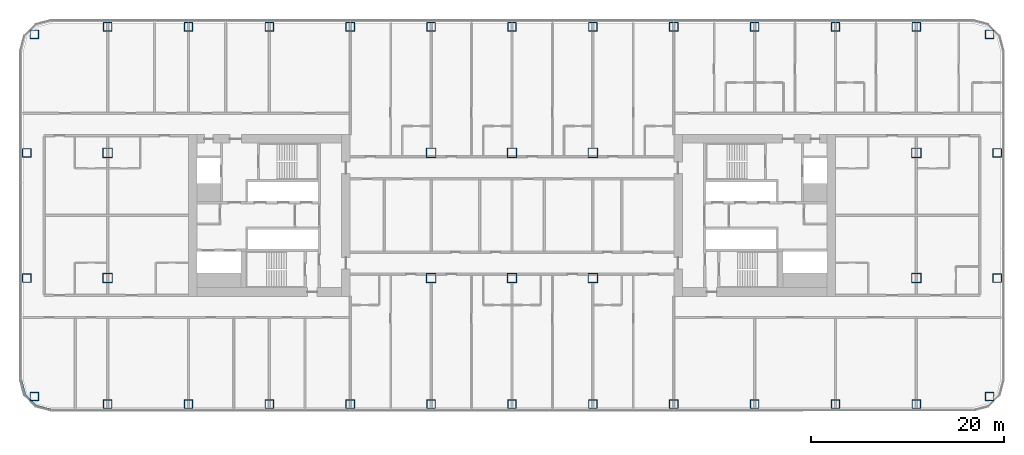
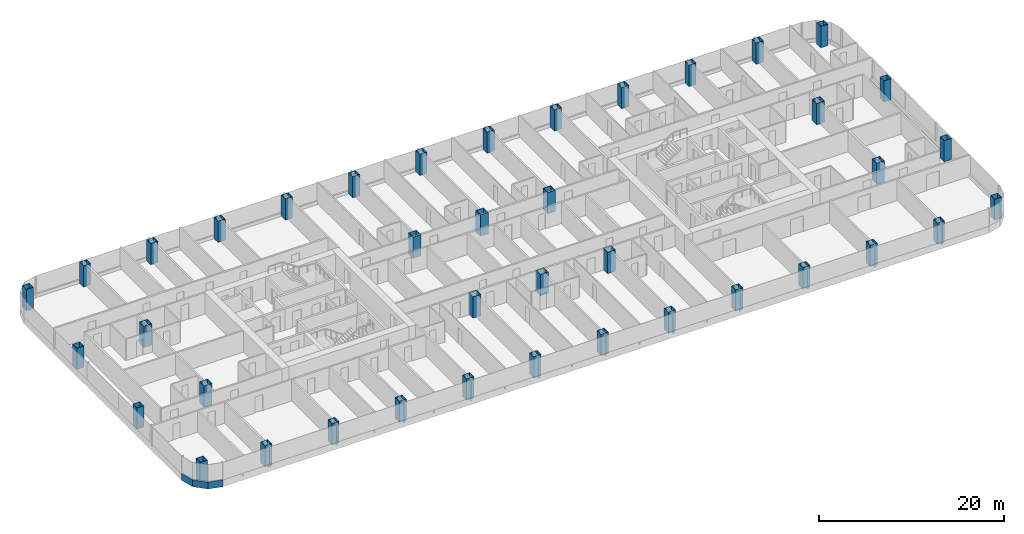
# One storey, part 1 of 28: 40 columns, 1 member, 1 element without a shape of its own.
"""IFC4 building model written with IfcOpenShell, lengths in metres."""

from ifc_helpers import new_model, si_unit, direction, frame, origin, origin_2d, place, context, subcontext, project, spatial, polyline, rectangle, hollow_rectangle, outline, extrude, material, layer, layer_set, material_profile, profile_set, type_object, element, aggregate, save


model = new_model("IFC4")

# Units and contexts
model_context = context("Model", 3, precision=1e-05, world=origin(), true_north=direction((0.0, 1.0)))
body_context = subcontext(model_context, "Body", "Model", "MODEL_VIEW")
ifc_project = project(units=[si_unit("LENGTHUNIT", "METRE"), si_unit("AREAUNIT", "SQUARE_METRE"), si_unit("VOLUMEUNIT", "CUBIC_METRE"), si_unit("PLANEANGLEUNIT", "RADIAN"), si_unit("MASSUNIT", "GRAM", prefix="KILO")], contexts=[model_context])

# Site, building, storey
site_placement = place(None, origin())
site = spatial("IfcSite", under=ifc_project, at=site_placement, CompositionType="ELEMENT")
building_placement = place(site_placement, origin())
building = spatial("IfcBuilding", under=site, at=building_placement, Name="Hakoniwa Tower and Hamabe Station Hall", CompositionType="ELEMENT")
storey_placement = place(building_placement, frame((0.0, 0.0, 48.60009765625)))
storey = spatial("IfcBuildingStorey", under=building, at=storey_placement, Name="L13", CompositionType="ELEMENT", Elevation=48.60009765625)

# Columns
ifc_material_1 = material(Name="Steel SN490C", Category="steel")
ifc_material_profile_1 = material_profile(ifc_material_1, hollow_rectangle(XDim=1.0, YDim=1.0, WallThickness=0.0400390625, at=origin_2d()), Name="BX-1000x1000x40")
ifc_profile_set_1 = profile_set([ifc_material_profile_1], Name="Steel SN490C")
column_type_1 = type_object("IfcColumnType", Name="COLUMN BX-1000x1000x40", PredefinedType="COLUMN", material=ifc_profile_set_1)
for number, where, z_axis, x_axis, name in (
    (1, (-42.0, -6.5, 0.0), (0.0, 0.0, 1.0), (1.0, 0.0, 0.0), "Column B1-2-C1"),
    (2, (-42.0, 6.5, 0.0), (0.0, 0.0, 1.0), (1.0, 0.0, 0.0), "Column B1-2-E1"),
    (3, (-8.39990234375, -6.5, 0.0), (0.0, 0.0, 1.0), (1.0, 0.0, 0.0), "Column B1-6-C1"),
    (4, (-8.39990234375, 6.5, 0.0), (0.0, 0.0, 1.0), (1.0, 0.0, 0.0), "Column B1-6-E1"),
    (5, (0.0, -6.5, 0.0), (0.0, 0.0, 1.0), (1.0, 0.0, 0.0), "Column B1-7-C1"),
    (6, (0.0, 6.5, 0.0), (0.0, 0.0, 1.0), (1.0, 0.0, 0.0), "Column B1-7-E1"),
    (7, (8.39990234375, -6.5, 0.0), (0.0, 0.0, 1.0), (1.0, 0.0, 0.0), "Column B1-8-C1"),
    (8, (8.39990234375, 6.5, 0.0), (0.0, 0.0, 1.0), (1.0, 0.0, 0.0), "Column B1-8-E1"),
    (9, (42.0, -6.5, 0.0), (0.0, 0.0, 1.0), (1.0, 0.0, 0.0), "Column B1-12-C1"),
    (10, (42.0, 6.5, 0.0), (0.0, 0.0, 1.0), (1.0, 0.0, 0.0), "Column B1-12-E1"),
):
    element("IfcColumn", number, at=place(storey_placement, frame(where, z_axis=z_axis, x_axis=x_axis)), inside=storey, type_object=column_type_1, Name=name, PredefinedType="COLUMN", context=body_context, shape_type="SweptSolid", body=[
        extrude(hollow_rectangle(XDim=1.0, YDim=1.0, WallThickness=0.0400390625, at=origin_2d()), origin(), (0.0, 0.0, 1.0), 2.7998046875),
    ])
ifc_material_2 = material(Name="Steel SN490C", Category="steel")
ifc_material_profile_2 = material_profile(ifc_material_2, hollow_rectangle(XDim=0.89990234375, YDim=0.89990234375, WallThickness=0.035888671875, at=origin_2d()), Name="BX-900x900x36")
ifc_profile_set_2 = profile_set([ifc_material_profile_2], Name="Steel SN490C")
column_type_2 = type_object("IfcColumnType", Name="COLUMN BX-900x900x36", PredefinedType="COLUMN", material=ifc_profile_set_2)
for number, where, z_axis, x_axis, name in (
    (11, (-49.60302734375, -18.802978515625, 0.0), (0.0, 0.0, 1.0), (1.0, 0.0, 0.0), "Column B1-1-A1"),
    (12, (-50.39990234375, -6.5, 0.0), (0.0, 0.0, 1.0), (1.0, 0.0, 0.0), "Column B1-1-C1"),
    (13, (-50.39990234375, 6.5, 0.0), (0.0, 0.0, 1.0), (1.0, 0.0, 0.0), "Column B1-1-E1"),
    (14, (-49.60302734375, 18.802978515625, 0.0), (0.0, 0.0, 1.0), (1.0, 0.0, 0.0), "Column B1-1-G1"),
    (15, (-42.0, -19.60009765625, 0.0), (0.0, 0.0, 1.0), (1.0, 0.0, 0.0), "Column B1-2-A1"),
    (16, (-42.0, 19.60009765625, 0.0), (0.0, 0.0, 1.0), (1.0, 0.0, 0.0), "Column B1-2-G1"),
    (17, (-33.60009765625, -19.60009765625, 0.0), (0.0, 0.0, 1.0), (1.0, 0.0, 0.0), "Column B1-3-A1"),
    (18, (-33.60009765625, 19.60009765625, 0.0), (0.0, 0.0, 1.0), (1.0, 0.0, 0.0), "Column B1-3-G1"),
    (19, (-25.199951171875, -19.60009765625, 0.0), (0.0, 0.0, 1.0), (1.0, 0.0, 0.0), "Column B1-4-A1"),
    (20, (-25.199951171875, 19.60009765625, 0.0), (0.0, 0.0, 1.0), (1.0, 0.0, 0.0), "Column B1-4-G1"),
    (21, (-16.800048828125, -19.60009765625, 0.0), (0.0, 0.0, 1.0), (1.0, 0.0, 0.0), "Column B1-5-A1"),
    (22, (-16.800048828125, 19.60009765625, 0.0), (0.0, 0.0, 1.0), (1.0, 0.0, 0.0), "Column B1-5-G1"),
    (23, (-8.39990234375, -19.60009765625, 0.0), (0.0, 0.0, 1.0), (1.0, 0.0, 0.0), "Column B1-6-A1"),
    (24, (-8.39990234375, 19.60009765625, 0.0), (0.0, 0.0, 1.0), (1.0, 0.0, 0.0), "Column B1-6-G1"),
    (25, (0.0, -19.60009765625, 0.0), (0.0, 0.0, 1.0), (1.0, 0.0, 0.0), "Column B1-7-A1"),
    (26, (0.0, 19.60009765625, 0.0), (0.0, 0.0, 1.0), (1.0, 0.0, 0.0), "Column B1-7-G1"),
    (27, (8.39990234375, -19.60009765625, 0.0), (0.0, 0.0, 1.0), (1.0, 0.0, 0.0), "Column B1-8-A1"),
    (28, (8.39990234375, 19.60009765625, 0.0), (0.0, 0.0, 1.0), (1.0, 0.0, 0.0), "Column B1-8-G1"),
    (29, (16.800048828125, -19.60009765625, 0.0), (0.0, 0.0, 1.0), (1.0, 0.0, 0.0), "Column B1-9-A1"),
    (30, (16.800048828125, 19.60009765625, 0.0), (0.0, 0.0, 1.0), (1.0, 0.0, 0.0), "Column B1-9-G1"),
    (31, (25.199951171875, -19.60009765625, 0.0), (0.0, 0.0, 1.0), (1.0, 0.0, 0.0), "Column B1-10-A1"),
    (32, (25.199951171875, 19.60009765625, 0.0), (0.0, 0.0, 1.0), (1.0, 0.0, 0.0), "Column B1-10-G1"),
    (33, (33.60009765625, -19.60009765625, 0.0), (0.0, 0.0, 1.0), (1.0, 0.0, 0.0), "Column B1-11-A1"),
    (34, (33.60009765625, 19.60009765625, 0.0), (0.0, 0.0, 1.0), (1.0, 0.0, 0.0), "Column B1-11-G1"),
    (35, (42.0, -19.60009765625, 0.0), (0.0, 0.0, 1.0), (1.0, 0.0, 0.0), "Column B1-12-A1"),
    (36, (42.0, 19.60009765625, 0.0), (0.0, 0.0, 1.0), (1.0, 0.0, 0.0), "Column B1-12-G1"),
    (37, (49.60302734375, -18.802978515625, 0.0), (0.0, 0.0, 1.0), (1.0, 0.0, 0.0), "Column B1-13-A1"),
    (38, (50.39990234375, -6.5, 0.0), (0.0, 0.0, 1.0), (1.0, 0.0, 0.0), "Column B1-13-C1"),
    (39, (50.39990234375, 6.5, 0.0), (0.0, 0.0, 1.0), (1.0, 0.0, 0.0), "Column B1-13-E1"),
    (40, (49.60302734375, 18.802978515625, 0.0), (0.0, 0.0, 1.0), (1.0, 0.0, 0.0), "Column B1-13-G1"),
):
    element("IfcColumn", number, at=place(storey_placement, frame(where, z_axis=z_axis, x_axis=x_axis)), inside=storey, type_object=column_type_2, Name=name, PredefinedType="COLUMN", context=body_context, shape_type="SweptSolid", body=[
        extrude(hollow_rectangle(XDim=0.89990234375, YDim=0.89990234375, WallThickness=0.035888671875, at=origin_2d()), origin(), (0.0, 0.0, 1.0), 2.7998046875),
    ])

# Curtain wall, member
ifc_material_3 = material(Name="Dark low-e laminated glass", Category="glass")
ifc_layer = layer(ifc_material_3, 0.199951171875)
ifc_layer_set = layer_set([ifc_layer], Name="CW-1 UNITISED GUEST")
curtain_wall_type = type_object("IfcCurtainWallType", Name="CW-1 UNITISED GUEST", PredefinedType="NOTDEFINED", material=ifc_layer_set)
curtain_wall_placement = place(storey_placement, origin())
curtain_wall = element("IfcCurtainWall", 41, at=curtain_wall_placement, inside=storey, type_object=curtain_wall_type, Name="CW-1 curtain wall", PredefinedType="NOTDEFINED")
ifc_material_4 = material(Name="Aluminium 6063-T5 black anodised", Category="aluminium")
ifc_material_profile_3 = material_profile(ifc_material_4, rectangle(XDim=0.199951171875, YDim=0.89990234375, at=origin_2d()), Name="CW SLAB-EDGE BAND 900X200")
ifc_profile_set_3 = profile_set([ifc_material_profile_3], Name="Aluminium 6063-T5 black anodised")
member_type = type_object("IfcMemberType", Name="CW SLAB-EDGE BAND 900X200", PredefinedType="USERDEFINED", material=ifc_profile_set_3)
member_placement = place(storey_placement, frame((0.0, 0.0, -0.550048828125)))
member = element("IfcMember", 42, at=member_placement, type_object=member_type, Name="CW-1 transom", ObjectType="TRANSOM", PredefinedType="USERDEFINED", context=body_context, shape_type="SweptSolid", body=[
    extrude(outline(polyline([(-51.10009765625, -17.03955078125), (-50.6669921875, -18.6552734375), (-49.455322265625, -19.866943359375), (-47.839599609375, -20.300048828125), (-47.787841796875, -20.10693359375), (-49.351806640625, -19.687744140625), (-50.48779296875, -18.5517578125), (-50.90673828125, -16.98779296875), (-51.10009765625, -17.03955078125)])), origin(), (0.0, 0.0, 1.0), 0.89990234375),
])
aggregate(curtain_wall, [member])

save(model, "model.ifc")
